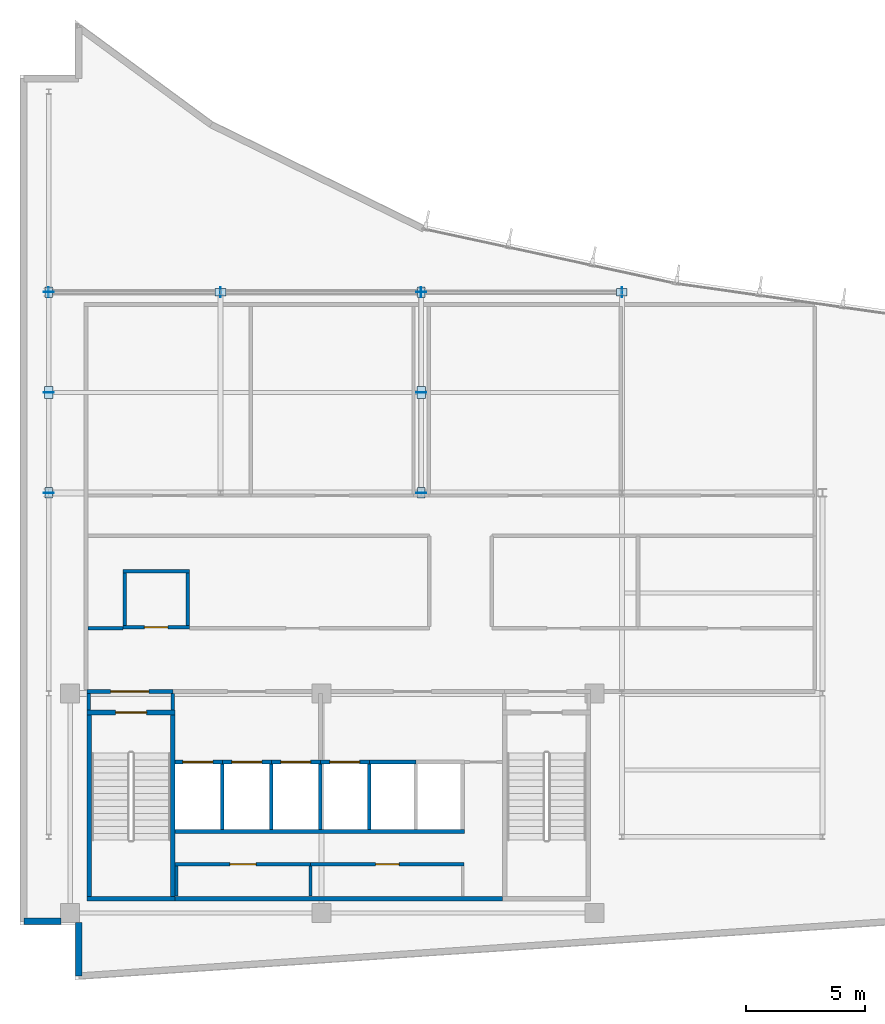
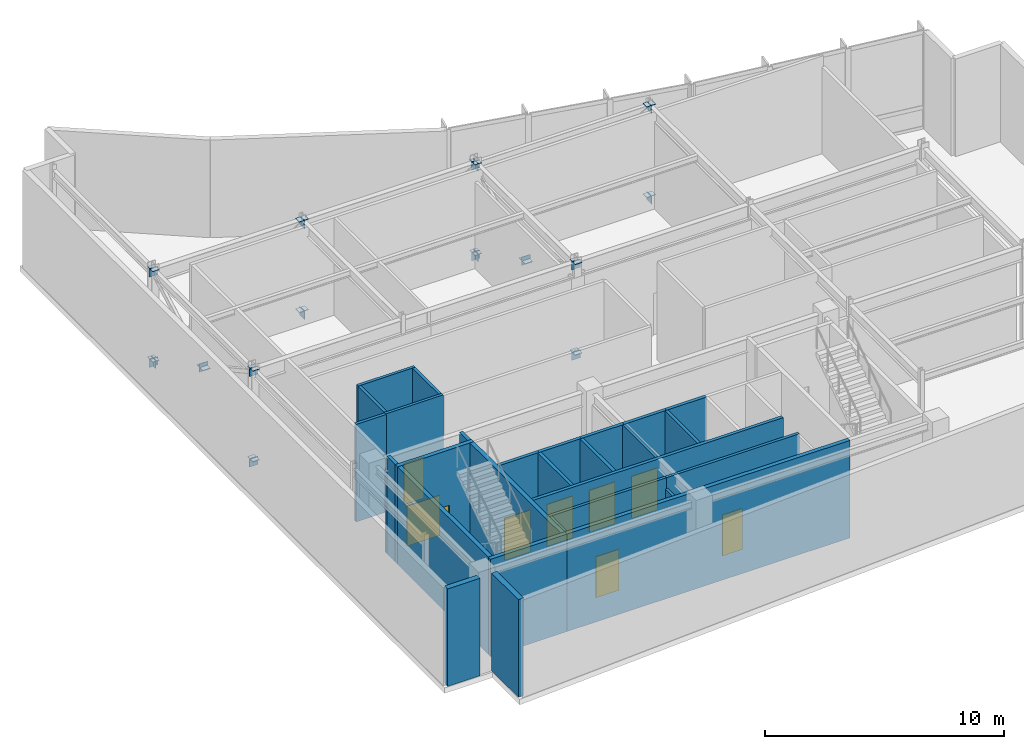
# One storey, part 9 of 14: 31 plates, 29 walls, 9 doors, 9 openings.
"""IFC4 building model written with IfcOpenShell, lengths in metres."""

from ifc_helpers import new_model, si_unit, direction, frame, frame_2d, origin, origin_2d, place, context, subcontext, project, spatial, rectangle, extrude, material, layer, layer_set, type_object, element, fill, save


model = new_model("IFC4")

# Units and contexts
model_context = context("Model", 3, precision=1e-05, world=origin(), true_north=direction((0.0, 1.0)))
body_context = subcontext(model_context, "Body", "Model", "MODEL_VIEW")
ifc_project = project(units=[si_unit("LENGTHUNIT", "METRE"), si_unit("AREAUNIT", "SQUARE_METRE"), si_unit("VOLUMEUNIT", "CUBIC_METRE"), si_unit("PLANEANGLEUNIT", "RADIAN"), si_unit("MASSUNIT", "GRAM", prefix="KILO")], contexts=[model_context])

# Site, building, storey
site_placement = place(None, origin())
site = spatial("IfcSite", under=ifc_project, at=site_placement, CompositionType="ELEMENT")
building_placement = place(site_placement, origin())
building = spatial("IfcBuilding", under=site, at=building_placement, Name="Varnakote Quay Hospital", CompositionType="ELEMENT")
storey_placement = place(building_placement, frame((0.0, 0.0, 303.949951171875)))
storey = spatial("IfcBuildingStorey", under=building, at=storey_placement, Name="L75", CompositionType="ELEMENT", Elevation=303.949951171875)

# Plates
ifc_material_1 = material(Name="Structural steel AS/NZS 3678 Grade 350 (fy 340 MPa)", Category="steel")
ifc_layer_1 = layer(ifc_material_1, 0.02001953125)
ifc_layer_set_1 = layer_set([ifc_layer_1], Name="Structural steel AS/NZS 3678 Grade 350 (fy 340 MPa)")
plate_type_1 = type_object("IfcPlateType", Name="PLT-ENDCAP-420x420x20", PredefinedType="USERDEFINED", material=ifc_layer_set_1)
for number, where, z_axis, x_axis, name in (
    (1, (1.199951171875, 20.39990234375, -0.030029296875), (0.0, 0.0, 1.0), (0.0, 1.0, 0.0), "L75 Hollow Section Sealed End Cap Plate"),
    (2, (1.199951171875, 28.800048828125, -0.030029296875), (0.0, 0.0, 1.0), (0.0, 1.0, 0.0), "L75 Hollow Section Sealed End Cap Plate"),
    (3, (1.199951171875, 28.800048828125, 4.60009765625), (0.0, 0.0, 1.0), (0.0, 1.0, 0.0), "L75 Hollow Section Sealed End Cap Plate"),
    (4, (1.199951171875, 24.60009765625, 2.28515625), (0.0, 0.0, 1.0), (0.0, 1.0, 0.0), "L75 Hollow Section Sealed End Cap Plate"),
    (5, (1.199951171875, 20.39990234375, 4.60009765625), (0.0, 0.0, 1.0), (0.0, 1.0, 0.0), "L75 Hollow Section Sealed End Cap Plate"),
    (6, (16.800048828125, 20.39990234375, -0.030029296875), (0.0, 0.0, 1.0), (0.0, 1.0, 0.0), "L75 Hollow Section Sealed End Cap Plate"),
    (7, (16.800048828125, 28.800048828125, -0.030029296875), (0.0, 0.0, 1.0), (0.0, 1.0, 0.0), "L75 Hollow Section Sealed End Cap Plate"),
    (8, (16.800048828125, 28.800048828125, 4.60009765625), (0.0, 0.0, 1.0), (0.0, 1.0, 0.0), "L75 Hollow Section Sealed End Cap Plate"),
    (9, (16.800048828125, 24.60009765625, 2.28515625), (0.0, 0.0, 1.0), (0.0, 1.0, 0.0), "L75 Hollow Section Sealed End Cap Plate"),
    (10, (16.800048828125, 20.39990234375, 4.60009765625), (0.0, 0.0, 1.0), (0.0, 1.0, 0.0), "L75 Hollow Section Sealed End Cap Plate"),
    (11, (1.199951171875, 28.800048828125, -0.030029296875), (0.0, 0.0, 1.0), (1.0, 0.0, 0.0), "L75 Hollow Section Sealed End Cap Plate"),
    (12, (8.39990234375, 28.800048828125, -0.030029296875), (0.0, 0.0, 1.0), (1.0, 0.0, 0.0), "L75 Hollow Section Sealed End Cap Plate"),
    (13, (8.39990234375, 28.800048828125, 4.60009765625), (0.0, 0.0, 1.0), (1.0, 0.0, 0.0), "L75 Hollow Section Sealed End Cap Plate"),
    (14, (16.800048828125, 28.800048828125, -0.030029296875), (0.0, 0.0, 1.0), (1.0, 0.0, 0.0), "L75 Hollow Section Sealed End Cap Plate"),
    (15, (16.800048828125, 28.800048828125, 4.60009765625), (0.0, 0.0, 1.0), (1.0, 0.0, 0.0), "L75 Hollow Section Sealed End Cap Plate"),
    (16, (25.199951171875, 28.800048828125, -0.030029296875), (0.0, 0.0, 1.0), (1.0, 0.0, 0.0), "L75 Hollow Section Sealed End Cap Plate"),
    (17, (25.199951171875, 28.800048828125, 4.60009765625), (0.0, 0.0, 1.0), (1.0, 0.0, 0.0), "L75 Hollow Section Sealed End Cap Plate"),
):
    element("IfcPlate", number, at=place(storey_placement, frame(where, z_axis=z_axis, x_axis=x_axis)), inside=storey, type_object=plate_type_1, Name=name, ObjectType="END_CAP_PLATE", PredefinedType="USERDEFINED", context=body_context, shape_type="SweptSolid", body=[
        extrude(rectangle(XDim=0.02001953125, YDim=0.419921875, at=origin_2d()), origin(), (0.0, 0.0, 1.0), 0.419921875),
    ])
ifc_material_2 = material(Name="Structural steel AS/NZS 3678 Grade 350 (fy 340 MPa)", Category="steel")
ifc_layer_2 = layer(ifc_material_2, 0.02490234375)
ifc_layer_set_2 = layer_set([ifc_layer_2], Name="Structural steel AS/NZS 3678 Grade 350 (fy 340 MPa)")
plate_type_2 = type_object("IfcPlateType", Name="PLT-GUSSET-450x320x25", PredefinedType="USERDEFINED", material=ifc_layer_set_2)
for number, where, z_axis, x_axis, name in (
    (18, (1.199951171875, 20.39990234375, 0.34765625), (0.0, 0.0, 1.0), (0.0, 1.0, 0.0), "L75 Truss Concentric Node Gusset Plate"),
    (19, (1.199951171875, 28.800048828125, 0.34765625), (0.0, 0.0, 1.0), (0.0, 1.0, 0.0), "L75 Truss Concentric Node Gusset Plate"),
    (20, (1.199951171875, 20.39990234375, 4.9775390625), (0.0, 0.0, 1.0), (0.0, 1.0, 0.0), "L75 Truss Concentric Node Gusset Plate"),
    (21, (1.199951171875, 28.800048828125, 4.9775390625), (0.0, 0.0, 1.0), (0.0, 1.0, 0.0), "L75 Truss Concentric Node Gusset Plate"),
    (22, (16.800048828125, 20.39990234375, 0.34765625), (0.0, 0.0, 1.0), (0.0, 1.0, 0.0), "L75 Truss Concentric Node Gusset Plate"),
    (23, (16.800048828125, 28.800048828125, 0.34765625), (0.0, 0.0, 1.0), (0.0, 1.0, 0.0), "L75 Truss Concentric Node Gusset Plate"),
    (24, (16.800048828125, 20.39990234375, 4.9775390625), (0.0, 0.0, 1.0), (0.0, 1.0, 0.0), "L75 Truss Concentric Node Gusset Plate"),
    (25, (16.800048828125, 28.800048828125, 4.9775390625), (0.0, 0.0, 1.0), (0.0, 1.0, 0.0), "L75 Truss Concentric Node Gusset Plate"),
    (26, (8.39990234375, 28.800048828125, 0.34765625), (0.0, 0.0, 1.0), (1.0, 0.0, 0.0), "L75 Truss Concentric Node Gusset Plate"),
    (27, (8.39990234375, 28.800048828125, 4.9775390625), (0.0, 0.0, 1.0), (1.0, 0.0, 0.0), "L75 Truss Concentric Node Gusset Plate"),
    (28, (25.199951171875, 28.800048828125, 0.34765625), (0.0, 0.0, 1.0), (1.0, 0.0, 0.0), "L75 Truss Concentric Node Gusset Plate"),
    (29, (25.199951171875, 28.800048828125, 4.9775390625), (0.0, 0.0, 1.0), (1.0, 0.0, 0.0), "L75 Truss Concentric Node Gusset Plate"),
):
    element("IfcPlate", number, at=place(storey_placement, frame(where, z_axis=z_axis, x_axis=x_axis)), inside=storey, type_object=plate_type_2, Name=name, ObjectType="GUSSET_PLATE", PredefinedType="USERDEFINED", context=body_context, shape_type="SweptSolid", body=[
        extrude(rectangle(XDim=0.449951171875, YDim=0.320068359375, at=origin_2d()), origin(), (0.0, 0.0, 1.0), 0.02490234375),
    ])
ifc_material_3 = material(Name="Structural steel AS/NZS 3678 Grade 350 (fy 340 MPa)", Category="steel")
ifc_layer_3 = layer(ifc_material_3, 0.031982421875)
ifc_layer_set_3 = layer_set([ifc_layer_3], Name="Structural steel AS/NZS 3678 Grade 350 (fy 340 MPa)")
plate_type_3 = type_object("IfcPlateType", Name="PLT-GUSSET-520x360x32", PredefinedType="USERDEFINED", material=ifc_layer_set_3)
for number, where, z_axis, x_axis, name in (
    (30, (1.199951171875, 24.60009765625, 2.47900390625), (0.0, 0.0, 1.0), (0.0, 1.0, 0.0), "L75 X-Brace Crossing Slotted Gusset Plate"),
    (31, (16.800048828125, 24.60009765625, 2.47900390625), (0.0, 0.0, 1.0), (0.0, 1.0, 0.0), "L75 X-Brace Crossing Slotted Gusset Plate"),
):
    element("IfcPlate", number, at=place(storey_placement, frame(where, z_axis=z_axis, x_axis=x_axis)), inside=storey, type_object=plate_type_3, Name=name, ObjectType="GUSSET_PLATE", PredefinedType="USERDEFINED", context=body_context, shape_type="SweptSolid", body=[
        extrude(rectangle(XDim=0.52001953125, YDim=0.360107421875, at=origin_2d()), origin(), (0.0, 0.0, 1.0), 0.031982421875),
    ])

# Walls
ifc_material_4 = material(Name="Fire-rated acoustic gypsum stud wall", Category="gypsum")
ifc_layer_4 = layer(ifc_material_4, 0.14990234375)
ifc_layer_set_4 = layer_set([ifc_layer_4], Name="Fire-rated acoustic gypsum stud wall")
wall_type_1 = type_object("IfcWallType", Name="WL-COMP-150", PredefinedType="PARTITIONING", material=ifc_layer_set_4)
wall_1_placement = place(storey_placement, frame((2.85009765625, 14.72998046875, 0.0), z_axis=(0.0, 0.0, 1.0), x_axis=(1.0, 0.0, 0.0)))
element("IfcWall", 32, at=wall_1_placement, inside=storey, type_object=wall_type_1, Name="L75 West Refuge Pocket Wall", PredefinedType="PARTITIONING", context=body_context, shape_type="SweptSolid", body=[
    extrude(rectangle(XDim=1.4580078125, YDim=0.14990234375, at=frame_2d((0.72900390625, 0.0))), origin(), (0.0, 0.0, 1.0), 4.989990234375),
])
ifc_material_5 = material(Name="Fire-rated acoustic gypsum stud wall", Category="gypsum")
ifc_layer_5 = layer(ifc_material_5, 0.159912109375)
ifc_layer_set_5 = layer_set([ifc_layer_5], Name="Fire-rated acoustic gypsum stud wall")
wall_type_2 = type_object("IfcWallType", Name="WL-COMP-160", PredefinedType="PARTITIONING", material=ifc_layer_set_5)
wall_2_placement = place(storey_placement, frame((2.8798828125, 11.300048828125, 0.0), z_axis=(0.0, 0.0, 1.0), x_axis=(0.0, 1.0, 0.0)))
element("IfcWall", 33, at=wall_2_placement, inside=storey, type_object=wall_type_2, Name="L75 West Stair Vestibule West Wall", PredefinedType="PARTITIONING", context=body_context, shape_type="SweptSolid", body=[
    extrude(rectangle(XDim=0.699951171875, YDim=0.159912109375, at=frame_2d((0.35009765625, 0.0))), origin(), (0.0, 0.0, 1.0), 4.989990234375),
])

# Wall, opening, door
wall_3_placement = place(storey_placement, frame((2.800048828125, 12.080078125, 0.0), z_axis=(0.0, 0.0, 1.0), x_axis=(1.0, 0.0, 0.0)))
wall_3 = element("IfcWall", 34, at=wall_3_placement, inside=storey, type_object=wall_type_2, Name="L75 West Stair Vestibule Smoke Wall", PredefinedType="PARTITIONING", context=body_context, shape_type="SweptSolid", body=[
    extrude(rectangle(XDim=3.599853515625, YDim=0.159912109375, at=frame_2d((1.7998046875, 0.0))), origin(), (0.0, 0.0, 1.0), 4.26513671875),
])
opening_1_placement = place(wall_3_placement, frame((1.0, 0.0, 0.0)))
opening_1 = element("IfcOpeningElement", 35, at=opening_1_placement, cuts=wall_3, Name="Opening D-ST1L-L75", PredefinedType="OPENING", context=body_context, shape_type="SweptSolid", body=[
    extrude(rectangle(XDim=1.60009765625, YDim=2.050048828125, at=frame_2d((0.800048828125, 1.02490234375))), frame((0.0, 0.08984375, 0.0), z_axis=(0.0, -1.0, 0.0), x_axis=(1.0, 0.0, 0.0)), (0.0, 0.0, 1.0), 0.179931640625),
])
ifc_material_6 = material(Name="Fire-rated double smoke lobby door")
door_type_1 = type_object("IfcDoorType", Name="DR-LOBBY-FD60S-1600x2150", OperationType="NOTDEFINED", PredefinedType="DOOR", material=ifc_material_6)
door_1_placement = place(opening_1_placement, origin())
door_1 = element("IfcDoor", 36, at=door_1_placement, inside=storey, type_object=door_type_1, Name="L75 West Stair Vestibule Smoke Door", OperationType="DOUBLE_DOOR_SINGLE_SWING", OverallHeight=2.050048828125, OverallWidth=1.60009765625, PredefinedType="DOOR", context=body_context, shape_type="SweptSolid", body=[
    extrude(rectangle(XDim=1.60009765625, YDim=2.050048828125, at=frame_2d((0.800048828125, 1.02490234375))), frame((0.0, 0.02490234375, 0.0), z_axis=(0.0, -1.0, 0.0), x_axis=(1.0, 0.0, 0.0)), (0.0, 0.0, 1.0), 0.050048828125),
])
fill(opening_1, door_1)

# Walls
wall_4_placement = place(storey_placement, frame((6.39990234375, 11.300048828125, 0.0), z_axis=(0.0, 0.0, 1.0), x_axis=(0.0, 1.0, 0.0)))
element("IfcWall", 37, at=wall_4_placement, inside=storey, type_object=wall_type_2, Name="L75 Firefighting Lobby West Wall", PredefinedType="PARTITIONING", context=body_context, shape_type="SweptSolid", body=[
    extrude(rectangle(XDim=0.699951171875, YDim=0.159912109375, at=frame_2d((0.35009765625, 0.0))), origin(), (0.0, 0.0, 1.0), 4.989990234375),
])
ifc_material_7 = material(Name="Concrete N50 (f'c 50 MPa)", Category="concrete")
ifc_layer_6 = layer(ifc_material_7, 0.199951171875)
ifc_layer_set_6 = layer_set([ifc_layer_6], Name="Concrete N50 (f'c 50 MPa)")
wall_type_3 = type_object("IfcWallType", Name="WL-CORE-N50-200", PredefinedType="SHEAR", material=ifc_layer_set_6)
wall_5_placement = place(storey_placement, frame((6.5, 3.39990234375, 0.0), z_axis=(0.0, 0.0, 1.0), x_axis=(1.0, 0.0, 0.0)))
element("IfcWall", 38, at=wall_5_placement, inside=storey, type_object=wall_type_3, Name="L75 Rear Core South Shear Wall", PredefinedType="SHEAR", context=body_context, shape_type="SweptSolid", body=[
    extrude(rectangle(XDim=13.699951171875, YDim=0.199951171875, at=frame_2d((6.85009765625, 0.0))), origin(), (0.0, 0.0, 1.0), 4.989990234375),
])
ifc_material_8 = material(Name="Precast concrete N50 (f'c 50 MPa)", Category="concrete")
ifc_layer_7 = layer(ifc_material_8, 0.260009765625)
ifc_layer_set_7 = layer_set([ifc_layer_7], Name="Precast concrete N50 (f'c 50 MPa)")
wall_type_4 = type_object("IfcWallType", Name="WL-EXT-BRICK-260", PredefinedType="STANDARD", material=ifc_layer_set_7)
wall_6_placement = place(storey_placement, frame((2.4599609375, 2.4150390625, 0.0), z_axis=(0.0, 0.0, 1.0), x_axis=(0.0, -1.0, 0.0)))
element("IfcWall", 39, at=wall_6_placement, inside=storey, type_object=wall_type_4, Name="L75 Brick-Faced Precast Exterior Wall", PredefinedType="STANDARD", context=body_context, shape_type="SweptSolid", body=[
    extrude(rectangle(XDim=2.243896484375, YDim=0.260009765625, at=frame_2d((1.1220703125, 0.0))), origin(), (0.0, 0.0, 1.0), 4.989990234375),
])
wall_7_placement = place(storey_placement, frame((0.159912109375, 2.4599609375, 0.0), z_axis=(0.0, 0.0, 1.0), x_axis=(1.0, 0.0, 0.0)))
element("IfcWall", 40, at=wall_7_placement, inside=storey, type_object=wall_type_4, Name="L75 Brick-Faced Precast Exterior Wall", PredefinedType="STANDARD", context=body_context, shape_type="SweptSolid", body=[
    extrude(rectangle(XDim=1.55517578125, YDim=0.260009765625, at=frame_2d((0.777587890625, 0.0))), origin(), (0.0, 0.0, 1.0), 4.989990234375),
])
ifc_material_9 = material(Name="Concrete N50 (f'c 50 MPa)", Category="concrete")
ifc_layer_8 = layer(ifc_material_9, 0.14990234375)
ifc_layer_set_8 = layer_set([ifc_layer_8], Name="Concrete N50 (f'c 50 MPa)")
wall_type_5 = type_object("IfcWallType", Name="WL-SHAFT-N50-150", PredefinedType="SHEAR", material=ifc_layer_set_8)
for number, where, z_axis, x_axis, name in (
    (41, (8.47509765625, 6.300048828125, 0.0), (0.0, 0.0, 1.0), (0.0, 1.0, 0.0), "L75 LF-FF1 Hoistway Divider Wall"),
    (42, (10.52490234375, 6.300048828125, 0.0), (0.0, 0.0, 1.0), (0.0, 1.0, 0.0), "L75 LF-FF2 Hoistway Divider Wall"),
    (43, (12.574951171875, 6.300048828125, 0.0), (0.0, 0.0, 1.0), (0.0, 1.0, 0.0), "L75 LF-SV1 Hoistway Divider Wall"),
    (44, (14.625, 6.300048828125, 0.0), (0.0, 0.0, 1.0), (0.0, 1.0, 0.0), "L75 LF-SV2 Hoistway Divider Wall"),
):
    element("IfcWall", number, at=place(storey_placement, frame(where, z_axis=z_axis, x_axis=x_axis)), inside=storey, type_object=wall_type_5, Name=name, PredefinedType="SHEAR", context=body_context, shape_type="SweptSolid", body=[
        extrude(rectangle(XDim=2.75, YDim=0.14990234375, at=frame_2d((1.375, 0.0))), origin(), (0.0, 0.0, 1.0), 4.989990234375),
    ])
ifc_material_10 = material(Name="Concrete N50 (f'c 50 MPa)", Category="concrete")
ifc_layer_9 = layer(ifc_material_10, 0.159912109375)
ifc_layer_set_9 = layer_set([ifc_layer_9], Name="Concrete N50 (f'c 50 MPa)")
wall_type_6 = type_object("IfcWallType", Name="WL-SHAFT-N50-160", PredefinedType="SHEAR", material=ifc_layer_set_9)
wall_8_placement = place(storey_placement, frame((6.5, 6.219970703125, 0.0), z_axis=(0.0, 0.0, 1.0), x_axis=(1.0, 0.0, 0.0)))
element("IfcWall", 45, at=wall_8_placement, inside=storey, type_object=wall_type_6, Name="L75 REAR Lift Bank Back Shear Wall", PredefinedType="SHEAR", context=body_context, shape_type="SweptSolid", body=[
    extrude(rectangle(XDim=12.110107421875, YDim=0.159912109375, at=frame_2d((6.05517578125, 0.0))), origin(), (0.0, 0.0, 1.0), 4.989990234375),
])

# Wall, opening, door
wall_9_placement = place(storey_placement, frame((6.5, 9.1298828125, 0.0), z_axis=(0.0, 0.0, 1.0), x_axis=(1.0, 0.0, 0.0)))
wall_9 = element("IfcWall", 46, at=wall_9_placement, inside=storey, type_object=wall_type_6, Name="L75 LF-FF1 Hoistway Front Wall", PredefinedType="SHEAR", context=body_context, shape_type="SweptSolid", body=[
    extrude(rectangle(XDim=1.97509765625, YDim=0.159912109375, at=frame_2d((0.987548828125, 0.0))), origin(), (0.0, 0.0, 1.0), 4.989990234375),
])
opening_2_placement = place(wall_9_placement, frame((0.324951171875, 0.0, 0.0)))
opening_2 = element("IfcOpeningElement", 47, at=opening_2_placement, cuts=wall_9, Name="Opening LD-FF1-L75", PredefinedType="OPENING", context=body_context, shape_type="SweptSolid", body=[
    extrude(rectangle(XDim=1.25, YDim=2.14990234375, at=frame_2d((0.625, 1.074951171875))), frame((0.0, 0.08984375, 0.0), z_axis=(0.0, -1.0, 0.0), x_axis=(1.0, 0.0, 0.0)), (0.0, 0.0, 1.0), 0.179931640625),
])
ifc_material_11 = material(Name="Stainless steel lift landing sliding door", Category="steel")
door_type_2 = type_object("IfcDoorType", Name="DR-LIFT-LD-1250x2150", OperationType="NOTDEFINED", PredefinedType="DOOR", material=ifc_material_11)
door_2_placement = place(opening_2_placement, origin())
door_2 = element("IfcDoor", 48, at=door_2_placement, inside=storey, type_object=door_type_2, Name="L75 LF-FF1 Lift Landing Sliding Door", OperationType="SLIDING_TO_LEFT", OverallHeight=2.14990234375, OverallWidth=1.25, PredefinedType="DOOR", context=body_context, shape_type="SweptSolid", body=[
    extrude(rectangle(XDim=1.25, YDim=2.14990234375, at=frame_2d((0.625, 1.074951171875))), frame((0.0, 0.02490234375, 0.0), z_axis=(0.0, -1.0, 0.0), x_axis=(1.0, 0.0, 0.0)), (0.0, 0.0, 1.0), 0.050048828125),
])
fill(opening_2, door_2)

wall_10_placement = place(storey_placement, frame((8.47509765625, 9.1298828125, 0.0), z_axis=(0.0, 0.0, 1.0), x_axis=(1.0, 0.0, 0.0)))
wall_10 = element("IfcWall", 49, at=wall_10_placement, inside=storey, type_object=wall_type_6, Name="L75 LF-FF2 Hoistway Front Wall", PredefinedType="SHEAR", context=body_context, shape_type="SweptSolid", body=[
    extrude(rectangle(XDim=2.0498046875, YDim=0.159912109375, at=frame_2d((1.02490234375, 0.0))), origin(), (0.0, 0.0, 1.0), 4.989990234375),
])
opening_3_placement = place(wall_10_placement, frame((0.39990234375, 0.0, 0.0)))
opening_3 = element("IfcOpeningElement", 50, at=opening_3_placement, cuts=wall_10, Name="Opening LD-FF2-L75", PredefinedType="OPENING", context=body_context, shape_type="SweptSolid", body=[
    extrude(rectangle(XDim=1.25, YDim=2.14990234375, at=frame_2d((0.625, 1.074951171875))), frame((0.0, 0.08984375, 0.0), z_axis=(0.0, -1.0, 0.0), x_axis=(1.0, 0.0, 0.0)), (0.0, 0.0, 1.0), 0.179931640625),
])
door_3_placement = place(opening_3_placement, origin())
door_3 = element("IfcDoor", 51, at=door_3_placement, inside=storey, type_object=door_type_2, Name="L75 LF-FF2 Lift Landing Sliding Door", OperationType="SLIDING_TO_LEFT", OverallHeight=2.14990234375, OverallWidth=1.25, PredefinedType="DOOR", context=body_context, shape_type="SweptSolid", body=[
    extrude(rectangle(XDim=1.25, YDim=2.14990234375, at=frame_2d((0.625, 1.074951171875))), frame((0.0, 0.02490234375, 0.0), z_axis=(0.0, -1.0, 0.0), x_axis=(1.0, 0.0, 0.0)), (0.0, 0.0, 1.0), 0.050048828125),
])
fill(opening_3, door_3)

wall_11_placement = place(storey_placement, frame((10.52490234375, 9.1298828125, 0.0), z_axis=(0.0, 0.0, 1.0), x_axis=(1.0, 0.0, 0.0)))
wall_11 = element("IfcWall", 52, at=wall_11_placement, inside=storey, type_object=wall_type_6, Name="L75 LF-SV1 Hoistway Front Wall", PredefinedType="SHEAR", context=body_context, shape_type="SweptSolid", body=[
    extrude(rectangle(XDim=2.050048828125, YDim=0.159912109375, at=frame_2d((1.02490234375, 0.0))), origin(), (0.0, 0.0, 1.0), 4.989990234375),
])
opening_4_placement = place(wall_11_placement, frame((0.39990234375, 0.0, 0.0)))
opening_4 = element("IfcOpeningElement", 53, at=opening_4_placement, cuts=wall_11, Name="Opening LD-SV1-L75", PredefinedType="OPENING", context=body_context, shape_type="SweptSolid", body=[
    extrude(rectangle(XDim=1.25, YDim=2.14990234375, at=frame_2d((0.625, 1.074951171875))), frame((0.0, 0.08984375, 0.0), z_axis=(0.0, -1.0, 0.0), x_axis=(1.0, 0.0, 0.0)), (0.0, 0.0, 1.0), 0.179931640625),
])
door_4_placement = place(opening_4_placement, origin())
door_4 = element("IfcDoor", 54, at=door_4_placement, inside=storey, type_object=door_type_2, Name="L75 LF-SV1 Lift Landing Sliding Door", OperationType="SLIDING_TO_LEFT", OverallHeight=2.14990234375, OverallWidth=1.25, PredefinedType="DOOR", context=body_context, shape_type="SweptSolid", body=[
    extrude(rectangle(XDim=1.25, YDim=2.14990234375, at=frame_2d((0.625, 1.074951171875))), frame((0.0, 0.02490234375, 0.0), z_axis=(0.0, -1.0, 0.0), x_axis=(1.0, 0.0, 0.0)), (0.0, 0.0, 1.0), 0.050048828125),
])
fill(opening_4, door_4)

wall_12_placement = place(storey_placement, frame((12.574951171875, 9.1298828125, 0.0), z_axis=(0.0, 0.0, 1.0), x_axis=(1.0, 0.0, 0.0)))
wall_12 = element("IfcWall", 55, at=wall_12_placement, inside=storey, type_object=wall_type_6, Name="L75 LF-SV2 Hoistway Front Wall", PredefinedType="SHEAR", context=body_context, shape_type="SweptSolid", body=[
    extrude(rectangle(XDim=2.050048828125, YDim=0.159912109375, at=frame_2d((1.02490234375, 0.0))), origin(), (0.0, 0.0, 1.0), 4.989990234375),
])
opening_5_placement = place(wall_12_placement, frame((0.39990234375, 0.0, 0.0)))
opening_5 = element("IfcOpeningElement", 56, at=opening_5_placement, cuts=wall_12, Name="Opening LD-SV2-L75", PredefinedType="OPENING", context=body_context, shape_type="SweptSolid", body=[
    extrude(rectangle(XDim=1.25, YDim=2.14990234375, at=frame_2d((0.625, 1.074951171875))), frame((0.0, 0.08984375, 0.0), z_axis=(0.0, -1.0, 0.0), x_axis=(1.0, 0.0, 0.0)), (0.0, 0.0, 1.0), 0.179931640625),
])
door_5_placement = place(opening_5_placement, origin())
door_5 = element("IfcDoor", 57, at=door_5_placement, inside=storey, type_object=door_type_2, Name="L75 LF-SV2 Lift Landing Sliding Door", OperationType="SLIDING_TO_LEFT", OverallHeight=2.14990234375, OverallWidth=1.25, PredefinedType="DOOR", context=body_context, shape_type="SweptSolid", body=[
    extrude(rectangle(XDim=1.25, YDim=2.14990234375, at=frame_2d((0.625, 1.074951171875))), frame((0.0, 0.02490234375, 0.0), z_axis=(0.0, -1.0, 0.0), x_axis=(1.0, 0.0, 0.0)), (0.0, 0.0, 1.0), 0.050048828125),
])
fill(opening_5, door_5)

# Walls
wall_13_placement = place(storey_placement, frame((14.625, 9.1298828125, 0.0), z_axis=(0.0, 0.0, 1.0), x_axis=(1.0, 0.0, 0.0)))
element("IfcWall", 58, at=wall_13_placement, inside=storey, type_object=wall_type_6, Name="L75 LF-PH1 Hoistway Front Wall", PredefinedType="SHEAR", context=body_context, shape_type="SweptSolid", body=[
    extrude(rectangle(XDim=1.949951171875, YDim=0.159912109375, at=frame_2d((0.97509765625, 0.0))), origin(), (0.0, 0.0, 1.0), 4.989990234375),
])
ifc_material_12 = material(Name="Concrete N50 (f'c 50 MPa)", Category="concrete")
ifc_layer_10 = layer(ifc_material_12, 0.199951171875)
ifc_layer_set_10 = layer_set([ifc_layer_10], Name="Concrete N50 (f'c 50 MPa)")
wall_type_7 = type_object("IfcWallType", Name="WL-SHAFT-N50-200", PredefinedType="SHEAR", material=ifc_layer_set_10)
wall_14_placement = place(storey_placement, frame((2.800048828125, 3.39990234375, 0.0), z_axis=(0.0, 0.0, 1.0), x_axis=(1.0, 0.0, 0.0)))
element("IfcWall", 59, at=wall_14_placement, inside=storey, type_object=wall_type_7, Name="L75 Stair ST1 South Shaft Wall", PredefinedType="SHEAR", context=body_context, shape_type="SweptSolid", body=[
    extrude(rectangle(XDim=3.699951171875, YDim=0.199951171875, at=frame_2d((1.85009765625, 0.0))), origin(), (0.0, 0.0, 1.0), 4.989990234375),
])
for number, where, z_axis, x_axis, name in (
    (60, (2.89990234375, 3.5, 0.0), (0.0, 0.0, 1.0), (0.0, 1.0, 0.0), "L75 Stair ST1 West Shaft Wall"),
    (61, (6.39990234375, 3.5, 0.0), (0.0, 0.0, 1.0), (0.0, 1.0, 0.0), "L75 Stair ST1 East Shaft Wall"),
):
    element("IfcWall", number, at=place(storey_placement, frame(where, z_axis=z_axis, x_axis=x_axis)), inside=storey, type_object=wall_type_7, Name=name, PredefinedType="SHEAR", context=body_context, shape_type="SweptSolid", body=[
        extrude(rectangle(XDim=7.60009765625, YDim=0.199951171875, at=frame_2d((3.800048828125, 0.0))), origin(), (0.0, 0.0, 1.0), 4.989990234375),
    ])

# Wall, opening, door
wall_15_placement = place(storey_placement, frame((2.800048828125, 11.199951171875, 0.0), z_axis=(0.0, 0.0, 1.0), x_axis=(1.0, 0.0, 0.0)))
wall_15 = element("IfcWall", 62, at=wall_15_placement, inside=storey, type_object=wall_type_7, Name="L75 Stair ST1 Exit Wall", PredefinedType="SHEAR", context=body_context, shape_type="SweptSolid", body=[
    extrude(rectangle(XDim=3.699951171875, YDim=0.199951171875, at=frame_2d((1.85009765625, 0.0))), origin(), (0.0, 0.0, 1.0), 4.989990234375),
])
opening_6_placement = place(wall_15_placement, frame((1.199951171875, 0.0, 0.0)))
opening_6 = element("IfcOpeningElement", 63, at=opening_6_placement, cuts=wall_15, Name="Opening D-ST1-L75", PredefinedType="OPENING", context=body_context, shape_type="SweptSolid", body=[
    extrude(rectangle(XDim=1.300048828125, YDim=2.14990234375, at=frame_2d((0.64990234375, 1.074951171875))), frame((0.0, 0.10986328125, 0.0), z_axis=(0.0, -1.0, 0.0), x_axis=(1.0, 0.0, 0.0)), (0.0, 0.0, 1.0), 0.219970703125),
])
ifc_material_13 = material(Name="Fire-rated ceramic-glazed timber exit door", Category="wood")
door_type_3 = type_object("IfcDoorType", Name="DR-STAIR-FD60S-1300x2150", OperationType="NOTDEFINED", PredefinedType="DOOR", material=ifc_material_13)
door_6_placement = place(opening_6_placement, origin())
door_6 = element("IfcDoor", 64, at=door_6_placement, inside=storey, type_object=door_type_3, Name="L75 Stair ST1 Fire Exit Door", OperationType="SINGLE_SWING_RIGHT", OverallHeight=2.14990234375, OverallWidth=1.300048828125, PredefinedType="DOOR", context=body_context, shape_type="SweptSolid", body=[
    extrude(rectangle(XDim=1.300048828125, YDim=2.14990234375, at=frame_2d((0.64990234375, 1.074951171875))), frame((0.0, 0.02490234375, 0.0), z_axis=(0.0, -1.0, 0.0), x_axis=(1.0, 0.0, 0.0)), (0.0, 0.0, 1.0), 0.050048828125),
])
fill(opening_6, door_6)

# Walls
ifc_material_14 = material(Name="Smoke-proof clinical partition", Category="gypsum")
ifc_layer_11 = layer(ifc_material_14, 0.1201171875)
ifc_layer_set_11 = layer_set([ifc_layer_11], Name="Smoke-proof clinical partition")
wall_type_8 = type_object("IfcWallType", Name="WL-SMOKE-120", PredefinedType="PARTITIONING", material=ifc_layer_set_11)
wall_16_placement = place(storey_placement, frame((6.56005859375, 3.52001953125, 0.0), z_axis=(0.0, 0.0, 1.0), x_axis=(0.0, 1.0, 0.0)))
element("IfcWall", 65, at=wall_16_placement, inside=storey, type_object=wall_type_8, Name="L75 Core South Service West Wall", PredefinedType="PARTITIONING", context=body_context, shape_type="SweptSolid", body=[
    extrude(rectangle(XDim=1.260009765625, YDim=0.1201171875, at=frame_2d((0.6298828125, 0.0))), origin(), (0.0, 0.0, 1.0), 4.989990234375),
])
wall_17_placement = place(storey_placement, frame((12.169921875, 3.52001953125, 0.0), z_axis=(0.0, 0.0, 1.0), x_axis=(0.0, 1.0, 0.0)))
element("IfcWall", 66, at=wall_17_placement, inside=storey, type_object=wall_type_8, Name="L75 Core South Service Divider", PredefinedType="PARTITIONING", context=body_context, shape_type="SweptSolid", body=[
    extrude(rectangle(XDim=1.260009765625, YDim=0.1201171875, at=frame_2d((0.6298828125, 0.0))), origin(), (0.0, 0.0, 1.0), 4.43701171875),
])

# Wall, opening, door
ifc_material_15 = material(Name="Fire-rated clinical gypsum partition", Category="gypsum")
ifc_layer_12 = layer(ifc_material_15, 0.139892578125)
ifc_layer_set_12 = layer_set([ifc_layer_12], Name="Fire-rated clinical gypsum partition")
wall_type_9 = type_object("IfcWallType", Name="WL-WARD-140", PredefinedType="PARTITIONING", material=ifc_layer_set_12)
wall_18_placement = place(storey_placement, frame((6.5, 4.85009765625, 0.0), z_axis=(0.0, 0.0, 1.0), x_axis=(1.0, 0.0, 0.0)))
wall_18 = element("IfcWall", 67, at=wall_18_placement, inside=storey, type_object=wall_type_9, Name="L75 Core Clean Linen Store North Wall", PredefinedType="PARTITIONING", context=body_context, shape_type="SweptSolid", body=[
    extrude(rectangle(XDim=5.669921875, YDim=0.139892578125, at=frame_2d((2.8349609375, 0.0))), origin(), (0.0, 0.0, 1.0), 4.989990234375),
])
opening_7_placement = place(wall_18_placement, frame((2.284912109375, 0.0, 0.0)))
opening_7 = element("IfcOpeningElement", 68, at=opening_7_placement, cuts=wall_18, Name="Opening D-L75-CR01", PredefinedType="OPENING", context=body_context, shape_type="SweptSolid", body=[
    extrude(rectangle(XDim=1.10009765625, YDim=2.10009765625, at=frame_2d((0.550048828125, 1.050048828125))), frame((0.0, 0.079833984375, 0.0), z_axis=(0.0, -1.0, 0.0), x_axis=(1.0, 0.0, 0.0)), (0.0, 0.0, 1.0), 0.159912109375),
])
ifc_material_16 = material(Name="Acoustic timber clinical consult door", Category="wood")
door_type_4 = type_object("IfcDoorType", Name="DR-CLIN-FD30S-1100x2100", OperationType="NOTDEFINED", PredefinedType="DOOR", material=ifc_material_16)
door_7_placement = place(opening_7_placement, origin())
door_7 = element("IfcDoor", 69, at=door_7_placement, inside=storey, type_object=door_type_4, Name="L75 Core Clean Linen Store Door", OperationType="SINGLE_SWING_RIGHT", OverallHeight=2.10009765625, OverallWidth=1.10009765625, PredefinedType="DOOR", context=body_context, shape_type="SweptSolid", body=[
    extrude(rectangle(XDim=1.10009765625, YDim=2.10009765625, at=frame_2d((0.550048828125, 1.050048828125))), frame((0.0, 0.02490234375, 0.0), z_axis=(0.0, -1.0, 0.0), x_axis=(1.0, 0.0, 0.0)), (0.0, 0.0, 1.0), 0.050048828125),
])
fill(opening_7, door_7)

wall_19_placement = place(storey_placement, frame((12.169921875, 4.85009765625, 0.0), z_axis=(0.0, 0.0, 1.0), x_axis=(1.0, 0.0, 0.0)))
wall_19 = element("IfcWall", 70, at=wall_19_placement, inside=storey, type_object=wall_type_9, Name="L75 Core Staff Sanitary WC North Wall", PredefinedType="PARTITIONING", context=body_context, shape_type="SweptSolid", body=[
    extrude(rectangle(XDim=6.43017578125, YDim=0.139892578125, at=frame_2d((3.215087890625, 0.0))), origin(), (0.0, 0.0, 1.0), 4.989990234375),
])
opening_8_placement = place(wall_19_placement, frame((2.72509765625, 0.0, 0.0)))
opening_8 = element("IfcOpeningElement", 71, at=opening_8_placement, cuts=wall_19, Name="Opening D-L75-CR02", PredefinedType="OPENING", context=body_context, shape_type="SweptSolid", body=[
    extrude(rectangle(XDim=0.97998046875, YDim=2.10009765625, at=frame_2d((0.489990234375, 1.050048828125))), frame((0.0, 0.079833984375, 0.0), z_axis=(0.0, -1.0, 0.0), x_axis=(1.0, 0.0, 0.0)), (0.0, 0.0, 1.0), 0.159912109375),
])
ifc_material_17 = material(Name="Accessible sanitary compartment door")
door_type_5 = type_object("IfcDoorType", Name="DR-WC-980x2100", OperationType="NOTDEFINED", PredefinedType="DOOR", material=ifc_material_17)
door_8_placement = place(opening_8_placement, origin())
door_8 = element("IfcDoor", 72, at=door_8_placement, inside=storey, type_object=door_type_5, Name="L75 Core Staff Sanitary WC Door", OperationType="SINGLE_SWING_LEFT", OverallHeight=2.10009765625, OverallWidth=0.97998046875, PredefinedType="DOOR", context=body_context, shape_type="SweptSolid", body=[
    extrude(rectangle(XDim=0.97998046875, YDim=2.10009765625, at=frame_2d((0.489990234375, 1.050048828125))), frame((0.0, 0.02490234375, 0.0), z_axis=(0.0, -1.0, 0.0), x_axis=(1.0, 0.0, 0.0)), (0.0, 0.0, 1.0), 0.050048828125),
])
fill(opening_8, door_8)

wall_20_placement = place(storey_placement, frame((4.31005859375, 14.77001953125, 0.0), z_axis=(0.0, 0.0, 1.0), x_axis=(1.0, 0.0, 0.0)))
wall_20 = element("IfcWall", 73, at=wall_20_placement, inside=storey, type_object=wall_type_9, Name="L75 Floor Unisex Accessible WC S Wall", PredefinedType="PARTITIONING", context=body_context, shape_type="SweptSolid", body=[
    extrude(rectangle(XDim=2.780029296875, YDim=0.139892578125, at=frame_2d((1.39013671875, 0.0))), origin(), (0.0, 0.0, 1.0), 4.989990234375),
])
opening_9_placement = place(wall_20_placement, frame((0.89990234375, 0.0, 0.0)))
opening_9 = element("IfcOpeningElement", 74, at=opening_9_placement, cuts=wall_20, Name="Opening D-L75-EW01", PredefinedType="OPENING", context=body_context, shape_type="SweptSolid", body=[
    extrude(rectangle(XDim=0.97998046875, YDim=2.10009765625, at=frame_2d((0.489990234375, 1.050048828125))), frame((0.0, 0.079833984375, 0.0), z_axis=(0.0, -1.0, 0.0), x_axis=(1.0, 0.0, 0.0)), (0.0, 0.0, 1.0), 0.159912109375),
])
door_9_placement = place(opening_9_placement, origin())
door_9 = element("IfcDoor", 75, at=door_9_placement, inside=storey, type_object=door_type_5, Name="L75 Floor Unisex Accessible WC Door", OperationType="SINGLE_SWING_LEFT", OverallHeight=2.10009765625, OverallWidth=0.97998046875, PredefinedType="DOOR", context=body_context, shape_type="SweptSolid", body=[
    extrude(rectangle(XDim=0.97998046875, YDim=2.10009765625, at=frame_2d((0.489990234375, 1.050048828125))), frame((0.0, 0.02490234375, 0.0), z_axis=(0.0, -1.0, 0.0), x_axis=(1.0, 0.0, 0.0)), (0.0, 0.0, 1.0), 0.050048828125),
])
fill(opening_9, door_9)

# Walls
wall_21_placement = place(storey_placement, frame((4.31005859375, 17.110107421875, 0.0), z_axis=(0.0, 0.0, 1.0), x_axis=(1.0, 0.0, 0.0)))
element("IfcWall", 76, at=wall_21_placement, inside=storey, type_object=wall_type_9, Name="L75 Floor Unisex Accessible WC N Wall", PredefinedType="PARTITIONING", context=body_context, shape_type="SweptSolid", body=[
    extrude(rectangle(XDim=2.780029296875, YDim=0.139892578125, at=frame_2d((1.39013671875, 0.0))), origin(), (0.0, 0.0, 1.0), 4.989990234375),
])
for number, where, z_axis, x_axis, name in (
    (77, (4.3798828125, 14.840087890625, 0.0), (0.0, 0.0, 1.0), (0.0, 1.0, 0.0), "L75 Floor Unisex Accessible WC W Wall"),
    (78, (7.02001953125, 14.840087890625, 0.0), (0.0, 0.0, 1.0), (0.0, 1.0, 0.0), "L75 Floor Unisex Accessible WC E Wall"),
):
    element("IfcWall", number, at=place(storey_placement, frame(where, z_axis=z_axis, x_axis=x_axis)), inside=storey, type_object=wall_type_9, Name=name, PredefinedType="PARTITIONING", context=body_context, shape_type="SweptSolid", body=[
        extrude(rectangle(XDim=2.199951171875, YDim=0.139892578125, at=frame_2d((1.10009765625, 0.0))), origin(), (0.0, 0.0, 1.0), 4.989990234375),
    ])

save(model, "model.ifc")
